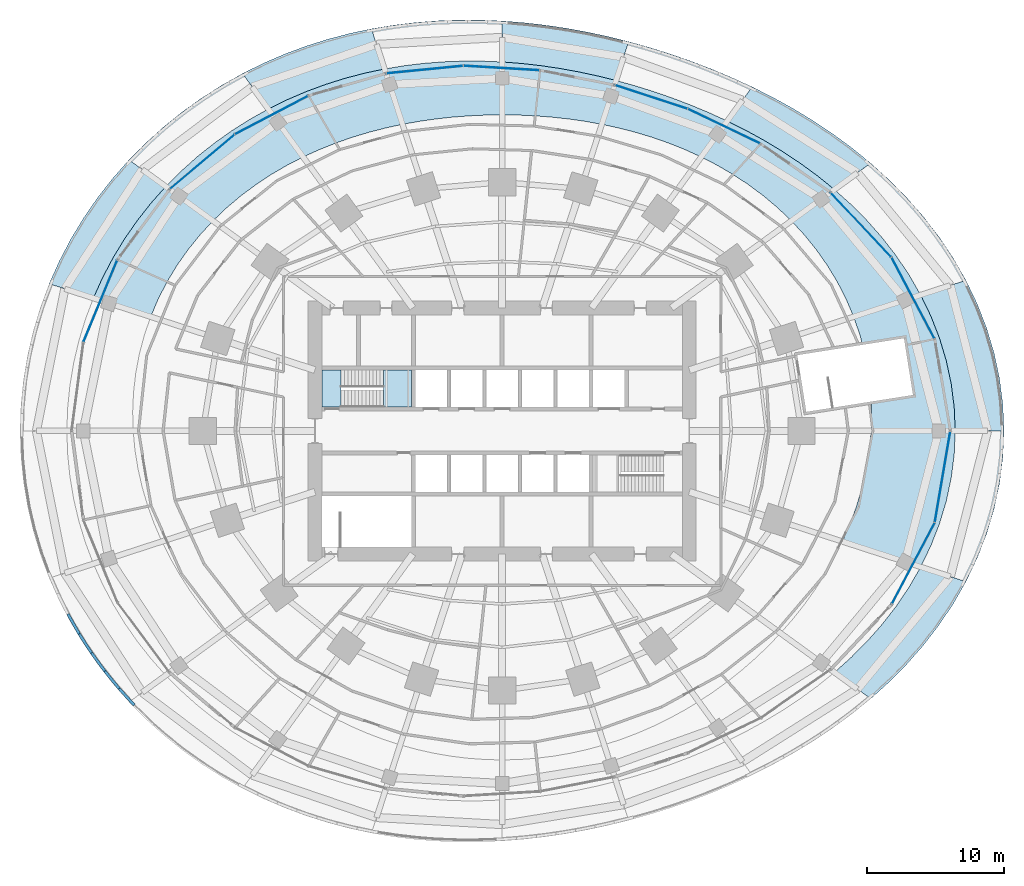
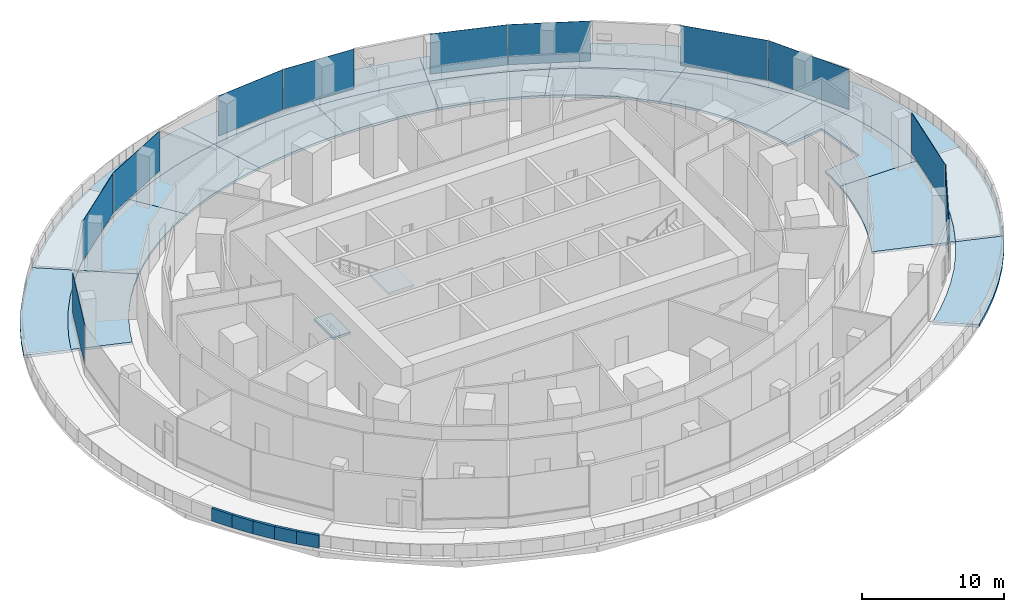
# One storey, part 15 of 26: 23 slabs, 11 plates, 5 walls, 8 elements without a shape of their own.
"""IFC4 building model written with IfcOpenShell, lengths in metres."""

from ifc_helpers import new_model, si_unit, direction, frame, frame_2d, origin, origin_2d, place, context, subcontext, project, spatial, polyline, rectangle, outline, extrude, material, layer, layer_set, type_object, element, aggregate, save


model = new_model("IFC4")

# Units and contexts
model_context = context("Model", 3, precision=1e-05, world=origin(), true_north=direction((0.0, 1.0)))
body_context = subcontext(model_context, "Body", "Model", "MODEL_VIEW")
ifc_project = project(units=[si_unit("LENGTHUNIT", "METRE"), si_unit("AREAUNIT", "SQUARE_METRE"), si_unit("VOLUMEUNIT", "CUBIC_METRE"), si_unit("PLANEANGLEUNIT", "RADIAN"), si_unit("MASSUNIT", "GRAM", prefix="KILO")], contexts=[model_context])

# Site, building, storey
site_placement = place(None, origin())
site = spatial("IfcSite", under=ifc_project, at=site_placement, CompositionType="ELEMENT")
building_placement = place(site_placement, origin())
building = spatial("IfcBuilding", under=site, at=building_placement, Name="Marramba Exchange Tower", CompositionType="ELEMENT")
storey_placement = place(building_placement, frame((0.0, 0.0, 15.10009765625)))
storey = spatial("IfcBuildingStorey", under=building, at=storey_placement, Name="L03", CompositionType="ELEMENT", Elevation=15.10009765625)

# Slabs
ifc_material_1 = material(Name="Concrete N40", Category="concrete")
ifc_layer_1 = layer(ifc_material_1, 0.199951171875)
ifc_layer_set_1 = layer_set([ifc_layer_1], Name="Floor slab 200")
slab_type_1 = type_object("IfcSlabType", Name="Floor slab 200", PredefinedType="FLOOR", material=ifc_layer_set_1)
slab_1_placement = place(storey_placement, frame((0.0, 0.0, -0.2001953125)))
element("IfcSlab", 1, at=slab_1_placement, inside=storey, type_object=slab_type_1, Name="Floor slab L03 podium bay 01", PredefinedType="FLOOR", context=body_context, shape_type="SweptSolid", body=[
    extrude(outline(polyline([(31.368408203125, 8.405029296875), (31.9951171875, 6.80078125), (32.493896484375, 5.146484375), (32.856201171875, 3.453369140625), (33.076171875, 1.7333984375), (33.14990234375, 0.0), (27.0, 0.0), (27.035888671875, 1.4169921875), (27.003173828125, 2.150634765625), (30.057861328125, 2.634521484375), (29.40087890625, 6.78271484375), (26.368408203125, 6.302490234375), (26.179443359375, 7.0146484375), (25.717529296875, 8.356201171875), (30.623291015625, 9.9501953125), (31.368408203125, 8.405029296875)])), origin(), (0.0, 0.0, 1.0), 0.2001953125),
])
slab_2_placement = place(storey_placement, frame((0.0, 0.0, -0.2001953125)))
element("IfcSlab", 2, at=slab_2_placement, inside=storey, type_object=slab_type_1, Name="Floor slab L03 podium bay 02", PredefinedType="FLOOR", context=body_context, shape_type="SweptSolid", body=[
    extrude(outline(polyline([(24.31298828125, 17.66455078125), (25.525146484375, 16.576171875), (26.68798828125, 15.408447265625), (27.791015625, 14.16015625), (28.82275390625, 12.832763671875), (29.770751953125, 11.427978515625), (30.623291015625, 9.9501953125), (25.717529296875, 8.356201171875), (25.16162109375, 9.65869140625), (24.516357421875, 10.915283203125), (23.786865234375, 12.1201171875), (22.9794921875, 13.267333984375), (22.10107421875, 14.3525390625), (21.158447265625, 15.37255859375), (24.31298828125, 17.66455078125)])), origin(), (0.0, 0.0, 1.0), 0.2001953125),
])
slab_3_placement = place(storey_placement, frame((0.0, 0.0, -0.2001953125)))
element("IfcSlab", 3, at=slab_3_placement, inside=storey, type_object=slab_type_1, Name="Floor slab L03 podium bay 03", PredefinedType="FLOOR", context=body_context, shape_type="SweptSolid", body=[
    extrude(outline(polyline([(17.81787109375, 22.003173828125), (19.152099609375, 21.2705078125), (20.474365234375, 20.474365234375), (21.77978515625, 19.610595703125), (23.061767578125, 18.675048828125), (24.31298828125, 17.66455078125), (21.158447265625, 15.37255859375), (20.159423828125, 16.32470703125), (19.11083984375, 17.20751953125), (18.020263671875, 18.020263671875), (16.89453125, 18.763427734375), (15.740478515625, 19.437744140625), (14.563720703125, 20.04541015625), (16.47509765625, 22.676025390625), (17.81787109375, 22.003173828125)])), origin(), (0.0, 0.0, 1.0), 0.2001953125),
])
slab_4_placement = place(storey_placement, frame((0.0, 0.0, -0.2001953125)))
element("IfcSlab", 4, at=slab_4_placement, inside=storey, type_object=slab_type_1, Name="Floor slab L03 podium bay 04", PredefinedType="FLOOR", context=body_context, shape_type="SweptSolid", body=[
    extrude(outline(polyline([(8.332763671875, 25.645263671875), (9.698486328125, 25.26513671875), (11.06005859375, 24.841552734375), (12.418701171875, 24.373046875), (13.774169921875, 23.857666015625), (15.126708984375, 23.29296875), (16.47509765625, 22.676025390625), (14.563720703125, 20.04541015625), (13.3701171875, 20.588134765625), (12.164306640625, 21.069091796875), (10.9501953125, 21.4912109375), (9.7314453125, 21.857421875), (8.5107421875, 22.1708984375), (7.289794921875, 22.435302734375), (8.332763671875, 25.645263671875)])), origin(), (0.0, 0.0, 1.0), 0.2001953125),
])
slab_5_placement = place(storey_placement, frame((0.0, 0.0, -0.2001953125)))
element("IfcSlab", 5, at=slab_5_placement, inside=storey, type_object=slab_type_1, Name="Floor slab L03 podium bay 05", PredefinedType="FLOOR", context=body_context, shape_type="SweptSolid", body=[
    extrude(outline(polyline([(1.4091796875, 26.89013671875), (2.8095703125, 26.7314453125), (4.201416015625, 26.526123046875), (5.585205078125, 26.276123046875), (6.9619140625, 25.982177734375), (8.332763671875, 25.645263671875), (7.289794921875, 22.435302734375), (6.06982421875, 22.6533203125), (4.85205078125, 22.827392578125), (3.636474609375, 22.96044921875), (2.423095703125, 23.053955078125), (1.211181640625, 23.109619140625), (0.0, 23.1279296875), (0.0, 27.0), (1.4091796875, 26.89013671875)])), origin(), (0.0, 0.0, 1.0), 0.2001953125),
])
slab_6_placement = place(storey_placement, frame((0.0, 0.0, -0.2001953125)))
element("IfcSlab", 6, at=slab_6_placement, inside=storey, type_object=slab_type_1, Name="Floor slab L03 podium bay 06", PredefinedType="FLOOR", context=body_context, shape_type="SweptSolid", body=[
    extrude(outline(polyline([(-7.16162109375, 26.7275390625), (-5.718017578125, 26.901123046875), (-4.2783203125, 27.01220703125), (-2.844482421875, 27.06396484375), (-1.418212890625, 27.058837890625), (0.0, 27.0), (0.0, 23.1279296875), (-1.211181640625, 23.109619140625), (-2.423095703125, 23.053955078125), (-3.636474609375, 22.96044921875), (-4.85205078125, 22.827392578125), (-6.06982421875, 22.6533203125), (-7.289794921875, 22.435302734375), (-8.606689453125, 26.48876953125), (-7.16162109375, 26.7275390625)])), origin(), (0.0, 0.0, 1.0), 0.2001953125),
])
slab_7_placement = place(storey_placement, frame((0.0, 0.0, -0.2001953125)))
element("IfcSlab", 7, at=slab_7_placement, inside=storey, type_object=slab_type_1, Name="Floor slab L03 podium bay 07", PredefinedType="FLOOR", context=body_context, shape_type="SweptSolid", body=[
    extrude(outline(polyline([(-17.114013671875, 23.555419921875), (-15.736328125, 24.231689453125), (-14.33642578125, 24.831298828125), (-12.919189453125, 25.355224609375), (-11.489013671875, 25.804931640625), (-10.05029296875, 26.18212890625), (-8.606689453125, 26.48876953125), (-7.289794921875, 22.435302734375), (-8.5107421875, 22.1708984375), (-9.7314453125, 21.857421875), (-10.9501953125, 21.4912109375), (-12.164306640625, 21.069091796875), (-13.3701171875, 20.588134765625), (-14.563720703125, 20.04541015625), (-17.114013671875, 23.555419921875)])), origin(), (0.0, 0.0, 1.0), 0.2001953125),
])
slab_8_placement = place(storey_placement, frame((0.0, 0.0, -0.2001953125)))
element("IfcSlab", 8, at=slab_8_placement, inside=storey, type_object=slab_type_1, Name="Floor slab L03 podium bay 08", PredefinedType="FLOOR", context=body_context, shape_type="SweptSolid", body=[
    extrude(outline(polyline([(-24.615478515625, 17.88427734375), (-23.484375, 19.017333984375), (-22.2978515625, 20.0771484375), (-21.061767578125, 21.061767578125), (-19.7822265625, 21.97021484375), (-18.46435546875, 22.801513671875), (-17.114013671875, 23.555419921875), (-14.563720703125, 20.04541015625), (-15.740478515625, 19.437744140625), (-16.89453125, 18.763427734375), (-18.020263671875, 18.020263671875), (-19.11083984375, 17.20751953125), (-20.159423828125, 16.32470703125), (-21.158447265625, 15.37255859375), (-24.615478515625, 17.88427734375)])), origin(), (0.0, 0.0, 1.0), 0.2001953125),
])
slab_9_placement = place(storey_placement, frame((0.0, 0.0, -0.2001953125)))
element("IfcSlab", 9, at=slab_9_placement, inside=storey, type_object=slab_type_1, Name="Floor slab L03 podium bay 09", PredefinedType="FLOOR", context=body_context, shape_type="SweptSolid", body=[
    extrude(outline(polyline([(-29.91162109375, 9.71875), (-29.23486328125, 11.22216796875), (-28.468505859375, 12.675048828125), (-27.61767578125, 14.072021484375), (-26.68798828125, 15.408447265625), (-25.685302734375, 16.68017578125), (-24.615478515625, 17.88427734375), (-21.158447265625, 15.37255859375), (-22.10107421875, 14.3525390625), (-22.9794921875, 13.267333984375), (-23.786865234375, 12.1201171875), (-24.516357421875, 10.915283203125), (-25.16162109375, 9.65869140625), (-25.717529296875, 8.356201171875), (-29.91162109375, 9.71875)])), origin(), (0.0, 0.0, 1.0), 0.2001953125),
])
slab_10_placement = place(storey_placement, frame((0.0, 0.0, -0.2001953125)))
element("IfcSlab", 10, at=slab_10_placement, inside=storey, type_object=slab_type_1, Name="Floor slab L03 podium bay 20", PredefinedType="FLOOR", context=body_context, shape_type="SweptSolid", body=[
    extrude(outline(polyline([(32.856201171875, -3.453369140625), (32.493896484375, -5.146484375), (31.9951171875, -6.80078125), (31.368408203125, -8.405029296875), (30.623291015625, -9.9501953125), (24.8984375, -8.090087890625), (25.44921875, -6.819091796875), (25.927001953125, -5.510986328125), (26.326171875, -4.169677734375), (26.64111328125, -2.800048828125), (26.8671875, -1.407958984375), (27.0, 0.0), (33.14990234375, 0.0), (33.076171875, -1.7333984375), (32.856201171875, -3.453369140625)])), origin(), (0.0, 0.0, 1.0), 0.2001953125),
])
ifc_layer_2 = layer(ifc_material_1, 0.25)
ifc_layer_set_2 = layer_set([ifc_layer_2], Name="Planted roof slab 250")
slab_type_2 = type_object("IfcSlabType", Name="Planted roof slab 250", PredefinedType="ROOF", material=ifc_layer_set_2)
slab_11_placement = place(storey_placement, frame((0.0, 0.0, -0.25)))
element("IfcSlab", 11, at=slab_11_placement, inside=storey, type_object=slab_type_2, Name="Planted roof slab L03 bay 02", PredefinedType="ROOF", context=body_context, shape_type="SweptSolid", body=[
    extrude(outline(polyline([(28.30712890625, 18.3828125), (29.591796875, 17.0849609375), (30.809814453125, 15.698486328125), (31.948486328125, 14.224365234375), (32.99462890625, 12.66552734375), (33.93505859375, 11.026123046875), (30.623291015625, 9.9501953125), (29.770751953125, 11.427978515625), (28.82275390625, 12.832763671875), (27.791015625, 14.16015625), (26.68798828125, 15.408447265625), (25.525146484375, 16.576171875), (24.31298828125, 17.66455078125), (26.96728515625, 19.593017578125), (28.30712890625, 18.3828125)])), origin(), (0.0, 0.0, 1.0), 0.25),
])
slab_12_placement = place(storey_placement, frame((0.0, 0.0, -0.25)))
element("IfcSlab", 12, at=slab_12_placement, inside=storey, type_object=slab_type_2, Name="Planted roof slab L03 bay 04", PredefinedType="ROOF", context=body_context, shape_type="SweptSolid", body=[
    extrude(outline(polyline([(10.77294921875, 28.064453125), (12.284423828125, 27.591552734375), (13.7919921875, 27.068359375), (15.2958984375, 26.4931640625), (16.795654296875, 25.863037109375), (18.29052734375, 25.1748046875), (16.47509765625, 22.676025390625), (15.126708984375, 23.29296875), (13.774169921875, 23.857666015625), (12.418701171875, 24.373046875), (11.06005859375, 24.841552734375), (9.698486328125, 25.26513671875), (8.332763671875, 25.645263671875), (9.256591796875, 28.48876953125), (10.77294921875, 28.064453125)])), origin(), (0.0, 0.0, 1.0), 0.25),
])
slab_13_placement = place(storey_placement, frame((0.0, 0.0, -0.25)))
element("IfcSlab", 13, at=slab_13_placement, inside=storey, type_object=slab_type_2, Name="Planted roof slab L03 bay 06", PredefinedType="ROOF", context=body_context, shape_type="SweptSolid", body=[
    extrude(outline(polyline([(-9.56103515625, 29.42578125), (-7.956298828125, 29.693115234375), (-6.352783203125, 29.887451171875), (-4.75341796875, 30.01220703125), (-3.160400390625, 30.0703125), (-1.57568359375, 30.065185546875), (0.0, 30.0), (0.0, 27.0), (-1.418212890625, 27.058837890625), (-2.844482421875, 27.06396484375), (-4.2783203125, 27.01220703125), (-5.718017578125, 26.901123046875), (-7.16162109375, 26.7275390625), (-8.606689453125, 26.48876953125), (-9.56103515625, 29.42578125)])), origin(), (0.0, 0.0, 1.0), 0.25),
])
slab_14_placement = place(storey_placement, frame((0.0, 0.0, -0.25)))
element("IfcSlab", 14, at=slab_14_placement, inside=storey, type_object=slab_type_2, Name="Planted roof slab L03 bay 08", PredefinedType="ROOF", context=body_context, shape_type="SweptSolid", body=[
    extrude(outline(polyline([(-27.302734375, 19.836669921875), (-26.052490234375, 21.096923828125), (-24.740234375, 22.276123046875), (-23.37255859375, 23.37255859375), (-21.955810546875, 24.38427734375), (-20.49609375, 25.310791015625), (-18.999755859375, 26.15087890625), (-17.114013671875, 23.555419921875), (-18.46435546875, 22.801513671875), (-19.7822265625, 21.97021484375), (-21.061767578125, 21.061767578125), (-22.2978515625, 20.0771484375), (-23.484375, 19.017333984375), (-24.615478515625, 17.88427734375), (-27.302734375, 19.836669921875)])), origin(), (0.0, 0.0, 1.0), 0.25),
])
slab_15_placement = place(storey_placement, frame((0.0, 0.0, -0.25)))
element("IfcSlab", 15, at=slab_15_placement, inside=storey, type_object=slab_type_2, Name="Planted roof slab L03 bay 20", PredefinedType="ROOF", context=body_context, shape_type="SweptSolid", body=[
    extrude(outline(polyline([(36.638671875, -1.920166015625), (36.396484375, -3.825439453125), (35.9970703125, -5.701416015625), (35.447509765625, -7.53466796875), (34.756591796875, -9.31298828125), (33.93505859375, -11.026123046875), (30.623291015625, -9.9501953125), (31.368408203125, -8.405029296875), (31.9951171875, -6.80078125), (32.493896484375, -5.146484375), (32.856201171875, -3.453369140625), (33.076171875, -1.7333984375), (33.14990234375, 0.0), (36.719970703125, 0.0), (36.638671875, -1.920166015625)])), origin(), (0.0, 0.0, 1.0), 0.25),
])

# Curtain wall, plates
ifc_material_2 = material(Name="Aluminium framing, bronze anodised", Category="aluminium")
curtain_wall_type = type_object("IfcCurtainWallType", Name="Podium ribbon curtain wall", PredefinedType="USERDEFINED", material=ifc_material_2)
curtain_wall_1_placement = place(storey_placement, origin())
curtain_wall_1 = element("IfcCurtainWall", 16, at=curtain_wall_1_placement, inside=storey, type_object=curtain_wall_type, Name="Curtain wall CW2 L03 F02-F03", ObjectType="RIBBON CURTAIN WALL", PredefinedType="USERDEFINED")
ifc_material_3 = material(Name="Double glazed unit 8 + 12 + 8.76, bronze tinted", Category="glass")
ifc_layer_3 = layer(ifc_material_3, 0.02880859375)
ifc_layer_set_3 = layer_set([ifc_layer_3], Name="Podium ribbon curtain wall panel")
plate_type = type_object("IfcPlateType", Name="Podium ribbon curtain wall panel", PredefinedType="CURTAIN_PANEL", material=ifc_layer_set_3)
plate_1_placement = place(storey_placement, frame((30.06396484375, 9.735595703125, 0.85986328125), z_axis=(0.0, 0.0, 1.0), x_axis=(-0.467131016872, 0.884188109553, 0.0)))
plate_1 = element("IfcPlate", 17, at=plate_1_placement, type_object=plate_type, Name="CW2 vision panel", PredefinedType="CURTAIN_PANEL", context=body_context, shape_type="SweptSolid", body=[
    extrude(rectangle(XDim=6.683349609375, YDim=0.02880859375, at=origin_2d()), origin(), (0.0, 0.0, 1.0), 3.43994140625),
])
plate_2_placement = place(storey_placement, frame((26.266357421875, 15.074462890625, 0.85986328125), z_axis=(0.0, 0.0, 1.0), x_axis=(-0.684146734815, 0.729344394125, 0.0)))
plate_2 = element("IfcPlate", 18, at=plate_2_placement, type_object=plate_type, Name="CW2 vision panel", PredefinedType="CURTAIN_PANEL", context=body_context, shape_type="SweptSolid", body=[
    extrude(rectangle(XDim=6.41796875, YDim=0.02880859375, at=origin_2d()), origin(), (0.0, 0.0, 1.0), 3.43994140625),
])
aggregate(curtain_wall_1, [plate_1, plate_2])

# Curtain wall, plate
curtain_wall_2_placement = place(storey_placement, origin())
curtain_wall_2 = element("IfcCurtainWall", 19, at=curtain_wall_2_placement, inside=storey, type_object=curtain_wall_type, Name="Curtain wall CW2 L03 F05", ObjectType="RIBBON CURTAIN WALL", PredefinedType="USERDEFINED")
plate_3_placement = place(storey_placement, frame((16.2314453125, 22.29541015625, 0.85986328125), z_axis=(0.0, 0.0, 1.0), x_axis=(-0.90211980917, 0.431485631167, 0.0)))
plate_3 = element("IfcPlate", 20, at=plate_3_placement, type_object=plate_type, Name="CW2 vision panel", PredefinedType="CURTAIN_PANEL", context=body_context, shape_type="SweptSolid", body=[
    extrude(rectangle(XDim=5.8359375, YDim=0.02880859375, at=origin_2d()), origin(), (0.0, 0.0, 1.0), 3.43994140625),
])
aggregate(curtain_wall_2, [plate_3])

curtain_wall_3_placement = place(storey_placement, origin())
curtain_wall_3 = element("IfcCurtainWall", 21, at=curtain_wall_3_placement, inside=storey, type_object=curtain_wall_type, Name="Curtain wall CW2 L03 F06", ObjectType="RIBBON CURTAIN WALL", PredefinedType="USERDEFINED")
plate_4_placement = place(storey_placement, frame((10.911865234375, 24.433349609375, 0.85986328125), z_axis=(0.0, 0.0, 1.0), x_axis=(-0.950455122977, 0.310861800816, 0.0)))
plate_4 = element("IfcPlate", 22, at=plate_4_placement, type_object=plate_type, Name="CW2 vision panel", PredefinedType="CURTAIN_PANEL", context=body_context, shape_type="SweptSolid", body=[
    extrude(rectangle(XDim=5.534912109375, YDim=0.02880859375, at=origin_2d()), origin(), (0.0, 0.0, 1.0), 3.43994140625),
])
aggregate(curtain_wall_3, [plate_4])

# Curtain wall, plates
curtain_wall_4_placement = place(storey_placement, origin())
curtain_wall_4 = element("IfcCurtainWall", 23, at=curtain_wall_4_placement, inside=storey, type_object=curtain_wall_type, Name="Curtain wall CW2 L03 F08-F09", ObjectType="RIBBON CURTAIN WALL", PredefinedType="USERDEFINED")
plate_5_placement = place(storey_placement, frame((-0.04736328125, 26.55126953125, 0.85986328125), z_axis=(0.0, 0.0, 1.0), x_axis=(-0.998230234172, 0.059467634766, 0.0)))
plate_5 = element("IfcPlate", 24, at=plate_5_placement, type_object=plate_type, Name="CW2 vision panel", PredefinedType="CURTAIN_PANEL", context=body_context, shape_type="SweptSolid", body=[
    extrude(rectangle(XDim=5.53076171875, YDim=0.02880859375, at=origin_2d()), origin(), (0.0, 0.0, 1.0), 3.43994140625),
])
plate_6_placement = place(storey_placement, frame((-5.6533203125, 26.435791015625, 0.85986328125), z_axis=(0.0, 0.0, 1.0), x_axis=(-0.995194841329, -0.097914390115, 0.0)))
plate_6 = element("IfcPlate", 25, at=plate_6_placement, type_object=plate_type, Name="CW2 vision panel", PredefinedType="CURTAIN_PANEL", context=body_context, shape_type="SweptSolid", body=[
    extrude(rectangle(XDim=5.59814453125, YDim=0.02880859375, at=origin_2d()), origin(), (0.0, 0.0, 1.0), 3.43994140625),
])
aggregate(curtain_wall_4, [plate_5, plate_6])

curtain_wall_5_placement = place(storey_placement, origin())
curtain_wall_5 = element("IfcCurtainWall", 26, at=curtain_wall_5_placement, inside=storey, type_object=curtain_wall_type, Name="Curtain wall CW2 L03 F11-F12", ObjectType="RIBBON CURTAIN WALL", PredefinedType="USERDEFINED")
plate_7_placement = place(storey_placement, frame((-16.88134765625, 23.105224609375, 0.85986328125), z_axis=(0.0, 0.0, 1.0), x_axis=(-0.886061919325, -0.463566904687, 0.0)))
plate_7 = element("IfcPlate", 27, at=plate_7_placement, type_object=plate_type, Name="CW2 vision panel", PredefinedType="CURTAIN_PANEL", context=body_context, shape_type="SweptSolid", body=[
    extrude(rectangle(XDim=6.019287109375, YDim=0.02880859375, at=origin_2d()), origin(), (0.0, 0.0, 1.0), 3.43994140625),
])
plate_8_placement = place(storey_placement, frame((-21.940185546875, 19.6943359375, 0.85986328125), z_axis=(0.0, 0.0, 1.0), x_axis=(-0.764696956352, -0.644390072041, 0.0)))
plate_8 = element("IfcPlate", 28, at=plate_8_placement, type_object=plate_type, Name="CW2 vision panel", PredefinedType="CURTAIN_PANEL", context=body_context, shape_type="SweptSolid", body=[
    extrude(rectangle(XDim=6.13671875, YDim=0.02880859375, at=origin_2d()), origin(), (0.0, 0.0, 1.0), 3.43994140625),
])
aggregate(curtain_wall_5, [plate_7, plate_8])

# Curtain wall, plate
curtain_wall_6_placement = place(storey_placement, origin())
curtain_wall_6 = element("IfcCurtainWall", 29, at=curtain_wall_6_placement, inside=storey, type_object=curtain_wall_type, Name="Curtain wall CW2 L03 F14-F15", ObjectType="RIBBON CURTAIN WALL", PredefinedType="USERDEFINED")
plate_9_placement = place(storey_placement, frame((-29.40283203125, 9.494384765625, 0.85986328125), z_axis=(0.0, 0.0, 1.0), x_axis=(-0.381514462714, -0.924362869624, 0.0)))
plate_9 = element("IfcPlate", 30, at=plate_9_placement, type_object=plate_type, Name="CW2 vision panel", PredefinedType="CURTAIN_PANEL", context=body_context, shape_type="SweptSolid", body=[
    extrude(rectangle(XDim=6.453857421875, YDim=0.02880859375, at=origin_2d()), origin(), (0.0, 0.0, 1.0), 3.43994140625),
])
aggregate(curtain_wall_6, [plate_9])

# Curtain wall, plates
curtain_wall_7_placement = place(storey_placement, origin())
curtain_wall_7 = element("IfcCurtainWall", 31, at=curtain_wall_7_placement, inside=storey, type_object=curtain_wall_type, Name="Curtain wall CW2 L03 F29-F30", ObjectType="RIBBON CURTAIN WALL", PredefinedType="USERDEFINED")
plate_10_placement = place(storey_placement, frame((30.091796875, -9.6826171875, 0.85986328125), z_axis=(0.0, 0.0, 1.0), x_axis=(0.467131016872, 0.884188109553, 0.0)))
plate_10 = element("IfcPlate", 32, at=plate_10_placement, type_object=plate_type, Name="CW2 vision panel", PredefinedType="CURTAIN_PANEL", context=body_context, shape_type="SweptSolid", body=[
    extrude(rectangle(XDim=6.683349609375, YDim=0.02880859375, at=origin_2d()), origin(), (0.0, 0.0, 1.0), 3.43994140625),
])
plate_11_placement = place(storey_placement, frame((32.226318359375, -3.364013671875, 0.85986328125), z_axis=(0.0, 0.0, 1.0), x_axis=(0.168073885799, 0.985774400617, 0.0)))
plate_11 = element("IfcPlate", 33, at=plate_11_placement, type_object=plate_type, Name="CW2 vision panel", PredefinedType="CURTAIN_PANEL", context=body_context, shape_type="SweptSolid", body=[
    extrude(rectangle(XDim=6.705078125, YDim=0.02880859375, at=origin_2d()), origin(), (0.0, 0.0, 1.0), 3.43994140625),
])
aggregate(curtain_wall_7, [plate_10, plate_11])

# Stair, slabs
ifc_material_4 = material(Name="Concrete N40 (40 MPa)", Category="concrete")
stair_type = type_object("IfcStairType", Name="Exit stair ST1 4500 x 1250", PredefinedType="HALF_TURN_STAIR", material=ifc_material_4)
stair_placement = place(storey_placement, origin())
stair = element("IfcStair", 34, at=stair_placement, inside=storey, type_object=stair_type, Name="Exit stair ST1 L03", PredefinedType="HALF_TURN_STAIR")
ifc_layer_4 = layer(ifc_material_4, 0.199951171875)
ifc_layer_set_4 = layer_set([ifc_layer_4], Name="Stair landing 200")
slab_type_3 = type_object("IfcSlabType", Name="Stair landing 200", PredefinedType="LANDING", material=ifc_layer_set_4)
slab_16_placement = place(storey_placement, frame((0.0, 0.0, -0.2001953125)))
slab_16 = element("IfcSlab", 35, at=slab_16_placement, type_object=slab_type_3, Name="ST1 landing 1", PredefinedType="LANDING", context=body_context, shape_type="SweptSolid", body=[
    extrude(outline(polyline([(-13.199951171875, 1.75), (-11.800048828125, 1.75), (-11.800048828125, 4.449951171875), (-13.199951171875, 4.449951171875), (-13.199951171875, 1.75)])), origin(), (0.0, 0.0, 1.0), 0.2001953125),
])
slab_17_placement = place(storey_placement, frame((0.0, 0.0, 2.0498046875)))
slab_17 = element("IfcSlab", 36, at=slab_17_placement, type_object=slab_type_3, Name="ST1 landing 2", PredefinedType="LANDING", context=body_context, shape_type="SweptSolid", body=[
    extrude(outline(polyline([(-8.679931640625, 1.75), (-6.64990234375, 1.75), (-6.64990234375, 4.449951171875), (-8.679931640625, 4.449951171875), (-8.679931640625, 1.75)])), origin(), (0.0, 0.0, 1.0), 0.2001953125),
])
aggregate(stair, [slab_16, slab_17])

# Slabs
ifc_layer_5 = layer(ifc_material_1, 0.25)
ifc_layer_set_5 = layer_set([ifc_layer_5], Name="Terrace slab 250")
slab_type_4 = type_object("IfcSlabType", Name="Terrace slab 250", PredefinedType="FLOOR", material=ifc_layer_set_5)
slab_18_placement = place(storey_placement, frame((0.0, 0.0, -0.25)))
element("IfcSlab", 37, at=slab_18_placement, inside=storey, type_object=slab_type_4, Name="Terrace slab L03 bay 01", PredefinedType="FLOOR", context=body_context, shape_type="SweptSolid", body=[
    extrude(outline(polyline([(33.93505859375, 11.026123046875), (34.756591796875, 9.31298828125), (35.447509765625, 7.53466796875), (35.9970703125, 5.701416015625), (36.396484375, 3.825439453125), (36.638671875, 1.920166015625), (36.719970703125, 0.0), (33.14990234375, 0.0), (33.076171875, 1.7333984375), (32.856201171875, 3.453369140625), (32.493896484375, 5.146484375), (31.9951171875, 6.80078125), (31.368408203125, 8.405029296875), (30.623291015625, 9.9501953125), (33.93505859375, 11.026123046875)])), origin(), (0.0, 0.0, 1.0), 0.25),
])
slab_19_placement = place(storey_placement, frame((0.0, 0.0, -0.25)))
element("IfcSlab", 38, at=slab_19_placement, inside=storey, type_object=slab_type_4, Name="Terrace slab L03 bay 03", PredefinedType="FLOOR", context=body_context, shape_type="SweptSolid", body=[
    extrude(outline(polyline([(19.778564453125, 24.42431640625), (21.256591796875, 23.60791015625), (22.720703125, 22.720703125), (24.165283203125, 21.758544921875), (25.58349609375, 20.71728515625), (26.96728515625, 19.593017578125), (24.31298828125, 17.66455078125), (23.061767578125, 18.675048828125), (21.77978515625, 19.610595703125), (20.474365234375, 20.474365234375), (19.152099609375, 21.2705078125), (17.81787109375, 22.003173828125), (16.47509765625, 22.676025390625), (18.29052734375, 25.1748046875), (19.778564453125, 24.42431640625)])), origin(), (0.0, 0.0, 1.0), 0.25),
])
slab_20_placement = place(storey_placement, frame((0.0, 0.0, -0.25)))
element("IfcSlab", 39, at=slab_20_placement, inside=storey, type_object=slab_type_4, Name="Terrace slab L03 bay 05", PredefinedType="FLOOR", context=body_context, shape_type="SweptSolid", body=[
    extrude(outline(polyline([(1.56591796875, 29.877685546875), (3.12158203125, 29.700927734375), (4.66796875, 29.471923828125), (6.205078125, 29.19287109375), (7.734375, 28.864990234375), (9.256591796875, 28.48876953125), (8.332763671875, 25.645263671875), (6.9619140625, 25.982177734375), (5.585205078125, 26.276123046875), (4.201416015625, 26.526123046875), (2.8095703125, 26.7314453125), (1.4091796875, 26.89013671875), (0.0, 27.0), (0.0, 30.0), (1.56591796875, 29.877685546875)])), origin(), (0.0, 0.0, 1.0), 0.25),
])
slab_21_placement = place(storey_placement, frame((0.0, 0.0, -0.25)))
element("IfcSlab", 40, at=slab_21_placement, inside=storey, type_object=slab_type_4, Name="Terrace slab L03 bay 07", PredefinedType="FLOOR", context=body_context, shape_type="SweptSolid", body=[
    extrude(outline(polyline([(-18.999755859375, 26.15087890625), (-17.47265625, 26.905517578125), (-15.920166015625, 27.574462890625), (-14.347900390625, 28.159423828125), (-12.760986328125, 28.661376953125), (-11.163818359375, 29.082763671875), (-9.56103515625, 29.42578125), (-8.606689453125, 26.48876953125), (-10.05029296875, 26.18212890625), (-11.489013671875, 25.804931640625), (-12.919189453125, 25.355224609375), (-14.33642578125, 24.831298828125), (-15.736328125, 24.231689453125), (-17.114013671875, 23.555419921875), (-18.999755859375, 26.15087890625)])), origin(), (0.0, 0.0, 1.0), 0.25),
])
slab_22_placement = place(storey_placement, frame((0.0, 0.0, -0.25)))
element("IfcSlab", 41, at=slab_22_placement, inside=storey, type_object=slab_type_4, Name="Terrace slab L03 bay 09", PredefinedType="FLOOR", context=body_context, shape_type="SweptSolid", body=[
    extrude(outline(polyline([(-32.40087890625, 12.4375), (-31.55615234375, 14.049560546875), (-30.61767578125, 15.6005859375), (-29.591796875, 17.0849609375), (-28.484619140625, 18.498291015625), (-27.302734375, 19.836669921875), (-24.615478515625, 17.88427734375), (-25.685302734375, 16.68017578125), (-26.68798828125, 15.408447265625), (-27.61767578125, 14.072021484375), (-28.468505859375, 12.675048828125), (-29.23486328125, 11.22216796875), (-29.91162109375, 9.71875), (-33.146484375, 10.77001953125), (-32.40087890625, 12.4375)])), origin(), (0.0, 0.0, 1.0), 0.25),
])
slab_23_placement = place(storey_placement, frame((0.0, 0.0, -0.25)))
element("IfcSlab", 42, at=slab_23_placement, inside=storey, type_object=slab_type_4, Name="Terrace slab L03 bay 19", PredefinedType="FLOOR", context=body_context, shape_type="SweptSolid", body=[
    extrude(outline(polyline([(32.99462890625, -12.66552734375), (31.948486328125, -14.224365234375), (30.809814453125, -15.698486328125), (29.591796875, -17.0849609375), (28.30712890625, -18.3828125), (26.96728515625, -19.593017578125), (24.31298828125, -17.66455078125), (25.525146484375, -16.576171875), (26.68798828125, -15.408447265625), (27.791015625, -14.16015625), (28.82275390625, -12.832763671875), (29.770751953125, -11.427978515625), (30.623291015625, -9.9501953125), (33.93505859375, -11.026123046875), (32.99462890625, -12.66552734375)])), origin(), (0.0, 0.0, 1.0), 0.25),
])

# Walls
ifc_layer_6 = layer(ifc_material_1, 0.199951171875)
ifc_layer_set_6 = layer_set([ifc_layer_6], Name="Roof parapet 200")
wall_type = type_object("IfcWallType", Name="Roof parapet 200", PredefinedType="PARAPET", material=ifc_layer_set_6)
wall_1_placement = place(storey_placement, frame((-31.77587890625, -13.401123046875, 0.0), z_axis=(0.0, 0.0, 1.0), x_axis=(0.495933811562, -0.868360325297, 0.0)))
element("IfcWall", 43, at=wall_1_placement, inside=storey, type_object=wall_type, Name="Parapet L03 bay 12", PredefinedType="PARAPET", context=body_context, shape_type="SweptSolid", body=[
    extrude(rectangle(XDim=1.66650390625, YDim=0.199951171875, at=frame_2d((0.833251953125, 0.0))), origin(), (0.0, 0.0, 1.0), 1.099853515625),
])
wall_2_placement = place(storey_placement, frame((-30.949462890625, -14.84814453125, 0.0), z_axis=(0.0, 0.0, 1.0), x_axis=(0.543995202045, -0.839088326788, 0.0)))
element("IfcWall", 44, at=wall_2_placement, inside=storey, type_object=wall_type, Name="Parapet L03 bay 12", PredefinedType="PARAPET", context=body_context, shape_type="SweptSolid", body=[
    extrude(rectangle(XDim=1.65966796875, YDim=0.199951171875, at=frame_2d((0.829833984375, 0.0))), origin(), (0.0, 0.0, 1.0), 1.099853515625),
])
wall_3_placement = place(storey_placement, frame((-30.046630859375, -16.24072265625, 0.0), z_axis=(0.0, 0.0, 1.0), x_axis=(0.589594151597, -0.8076996573, 0.0)))
element("IfcWall", 45, at=wall_3_placement, inside=storey, type_object=wall_type, Name="Parapet L03 bay 12", PredefinedType="PARAPET", context=body_context, shape_type="SweptSolid", body=[
    extrude(rectangle(XDim=1.652099609375, YDim=0.199951171875, at=frame_2d((0.826171875, 0.0))), origin(), (0.0, 0.0, 1.0), 1.099853515625),
])
wall_4_placement = place(storey_placement, frame((-29.072509765625, -17.5751953125, 0.0), z_axis=(0.0, 0.0, 1.0), x_axis=(0.632987157267, -0.774162294829, 0.0)))
element("IfcWall", 46, at=wall_4_placement, inside=storey, type_object=wall_type, Name="Parapet L03 bay 12", PredefinedType="PARAPET", context=body_context, shape_type="SweptSolid", body=[
    extrude(rectangle(XDim=1.64453125, YDim=0.199951171875, at=frame_2d((0.822265625, 0.0))), origin(), (0.0, 0.0, 1.0), 1.099853515625),
])
wall_5_placement = place(storey_placement, frame((-28.031494140625, -18.848388671875, 0.0), z_axis=(0.0, 0.0, 1.0), x_axis=(0.673823364238, -0.738892464306, 0.0)))
element("IfcWall", 47, at=wall_5_placement, inside=storey, type_object=wall_type, Name="Parapet L03 bay 12", PredefinedType="PARAPET", context=body_context, shape_type="SweptSolid", body=[
    extrude(rectangle(XDim=1.635986328125, YDim=0.199951171875, at=frame_2d((0.81787109375, 0.0))), origin(), (0.0, 0.0, 1.0), 1.099853515625),
])

save(model, "model.ifc")
